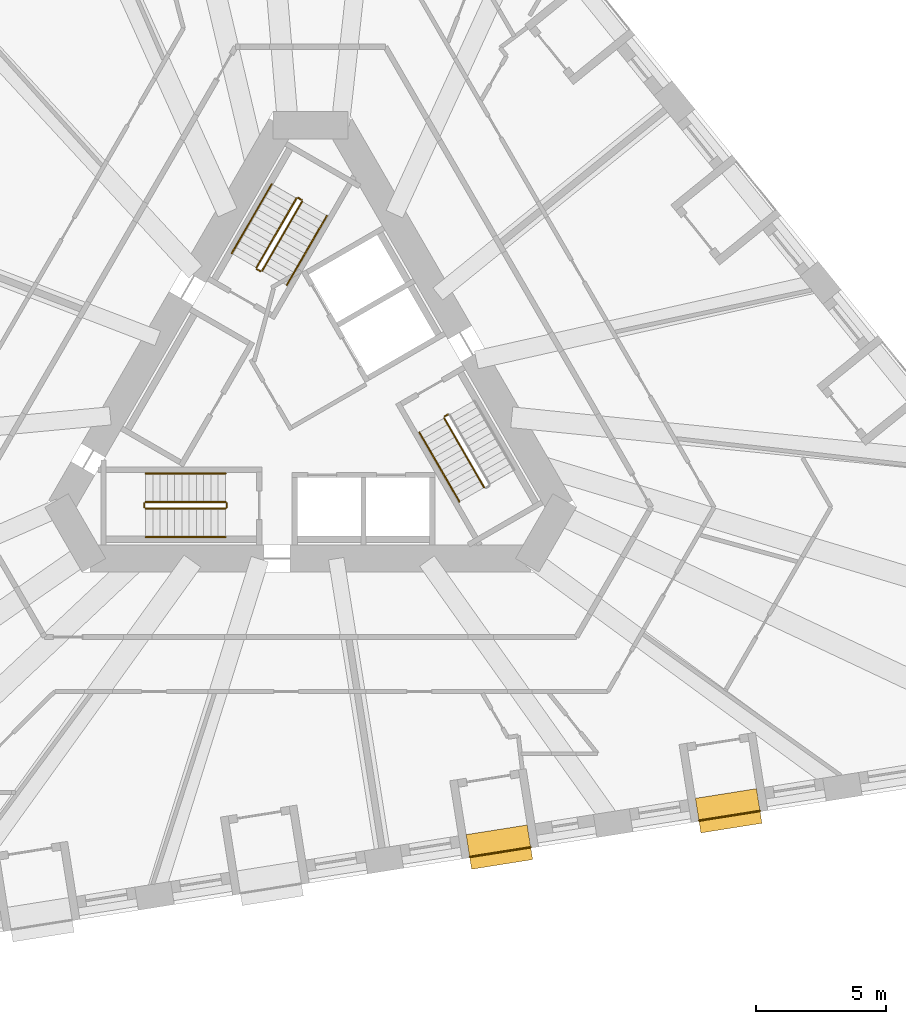
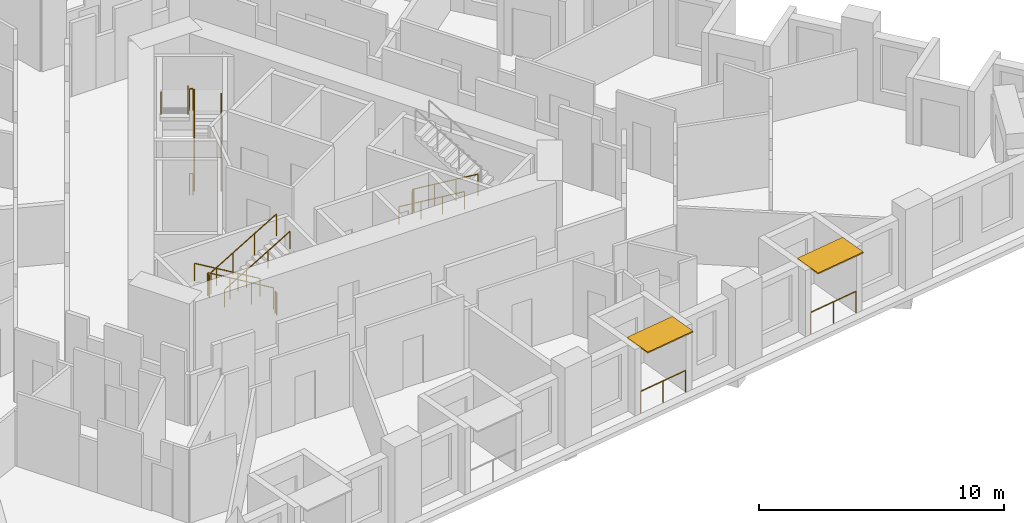
# One storey, part 12 of 14: 17 railings, 2 shading devices.
"""IFC4 building model written with IfcOpenShell, lengths in metres."""

from ifc_helpers import new_model, si_unit, direction, frame, origin, origin_2d, place, context, subcontext, project, spatial, rectangle, circle, extrude, material, layer, layer_set, type_object, element, save


model = new_model("IFC4")

# Units and contexts
model_context = context("Model", 3, precision=1e-05, world=origin(), true_north=direction((0.0, 1.0)))
body_context = subcontext(model_context, "Body", "Model", "MODEL_VIEW")
ifc_project = project(units=[si_unit("LENGTHUNIT", "METRE"), si_unit("AREAUNIT", "SQUARE_METRE"), si_unit("VOLUMEUNIT", "CUBIC_METRE"), si_unit("PLANEANGLEUNIT", "RADIAN"), si_unit("MASSUNIT", "GRAM", prefix="KILO")], contexts=[model_context])

# Site, building, storey
site_placement = place(None, origin())
site = spatial("IfcSite", under=ifc_project, at=site_placement, CompositionType="ELEMENT")
building_placement = place(site_placement, origin())
building = spatial("IfcBuilding", under=site, at=building_placement, Name="Tramontana Tower", CompositionType="ELEMENT")
storey_placement = place(building_placement, frame((0.0, 0.0, 59.199951171875)))
storey = spatial("IfcBuildingStorey", under=building, at=storey_placement, Name="L12", CompositionType="ELEMENT", Elevation=59.199951171875)

# Railings
ifc_material_1 = material(Name="Laminated glass balustrade", Category="glass")
railing_type_1 = type_object("IfcRailingType", Name="GD1 Loggia glass balustrade 1100", PredefinedType="BALUSTRADE", material=ifc_material_1)
railing_1_placement = place(storey_placement, frame((6.1318359375, -17.72900390625, 0.0)))
element("IfcRailing", 1, at=railing_1_placement, inside=storey, type_object=railing_type_1, Name="Loggia balustrade L12 G1S1.10", PredefinedType="BALUSTRADE", context=body_context, shape_type="SweptSolid", body=[
    extrude(circle(Radius=0.02392578125, at=origin_2d()), frame((0.0, 0.0, 1.076171875), z_axis=(0.987688093492, 0.15643602518, 0.0), x_axis=(-0.15643602518, 0.987688093492, 0.0)), (0.0, 0.0, 1.0), 2.383056640625),
    extrude(circle(Radius=0.02099609375, at=origin_2d()), origin(), (0.0, 0.0, 1.0), 1.052001953125),
    extrude(circle(Radius=0.02099609375, at=origin_2d()), frame((1.1767578125, 0.1865234375, 0.0)), (0.0, 0.0, 1.0), 1.052001953125),
    extrude(circle(Radius=0.02099609375, at=origin_2d()), frame((2.353759765625, 0.372802734375, 0.0)), (0.0, 0.0, 1.0), 1.052001953125),
])
railing_2_placement = place(storey_placement, frame((14.970703125, -16.3291015625, 0.0)))
element("IfcRailing", 2, at=railing_2_placement, inside=storey, type_object=railing_type_1, Name="Loggia balustrade L12 G1S1.13", PredefinedType="BALUSTRADE", context=body_context, shape_type="SweptSolid", body=[
    extrude(circle(Radius=0.02392578125, at=origin_2d()), frame((0.0, 0.0, 1.076171875), z_axis=(0.987685586014, 0.156451855793, 0.0), x_axis=(-0.156451855793, 0.987685586014, 0.0)), (0.0, 0.0, 1.0), 2.3828125),
    extrude(circle(Radius=0.02099609375, at=origin_2d()), origin(), (0.0, 0.0, 1.0), 1.052001953125),
    extrude(circle(Radius=0.02099609375, at=origin_2d()), frame((1.1767578125, 0.1865234375, 0.0)), (0.0, 0.0, 1.0), 1.052001953125),
    extrude(circle(Radius=0.02099609375, at=origin_2d()), frame((2.353515625, 0.372802734375, 0.0)), (0.0, 0.0, 1.0), 1.052001953125),
])

# Shading devices
ifc_material_2 = material(Name="Precast concrete 60 MPa", Category="concrete")
ifc_layer = layer(ifc_material_2, 0.06005859375)
ifc_layer_set = layer_set([ifc_layer], Name="SS1 Stone sunshade blade 60")
shading_device_type = type_object("IfcShadingDeviceType", Name="SS1 Stone sunshade blade 60", PredefinedType="USERDEFINED", material=ifc_layer_set)
for number, where, z_axis, x_axis, name in (
    (3, (7.2783203125, -17.35009765625, 3.239990234375), (0.0, 0.0, 1.0), (0.987688340595, 0.15643446504, 0.0), "Sunshade L12 G1S1.10"),
    (4, (16.116943359375, -15.9501953125, 3.239990234375), (0.0, 0.0, 1.0), (0.987688340595, 0.15643446504, 0.0), "Sunshade L12 G1S1.13"),
):
    element("IfcShadingDevice", number, at=place(storey_placement, frame(where, z_axis=z_axis, x_axis=x_axis)), inside=storey, type_object=shading_device_type, Name=name, ObjectType="SUNSHADE", PredefinedType="USERDEFINED", context=body_context, shape_type="SweptSolid", body=[
        extrude(rectangle(XDim=2.383056640625, YDim=1.35009765625, at=origin_2d()), origin(), (0.0, 0.0, 1.0), 0.06005859375),
    ])

# Railings
ifc_material_3 = material(Name="Painted steel", Category="steel")
railing_type_2 = type_object("IfcRailingType", Name="STAIR GUARD 1100", PredefinedType="GUARDRAIL", material=ifc_material_3)
railing_3_placement = place(storey_placement, frame((-1.867431640625, 4.865478515625, 0.166748046875)))
element("IfcRailing", 5, at=railing_3_placement, inside=storey, type_object=railing_type_2, Name="L12 ST1 stair guard 1", PredefinedType="GUARDRAIL", context=body_context, shape_type="SweptSolid", body=[
    extrude(circle(Radius=0.02392578125, at=origin_2d()), frame((0.0, 0.0, 1.076171875), z_axis=(0.429649414936, 0.744189839504, 0.511451721109), x_axis=(-0.866029832698, 0.499992328818, 0.0)), (0.0, 0.0, 1.0), 3.58447265625),
    extrude(circle(Radius=0.02099609375, at=origin_2d()), origin(), (0.0, 0.0, 1.0), 1.052001953125),
    extrude(circle(Radius=0.02099609375, at=origin_2d()), frame((0.513427734375, 0.88916015625, 0.611083984375)), (0.0, 0.0, 1.0), 1.052001953125),
    extrude(circle(Radius=0.02099609375, at=origin_2d()), frame((1.026611328125, 1.7783203125, 1.22216796875)), (0.0, 0.0, 1.0), 1.052001953125),
    extrude(circle(Radius=0.02099609375, at=origin_2d()), frame((1.5400390625, 2.66748046875, 1.833251953125)), (0.0, 0.0, 1.0), 1.052001953125),
])
railing_4_placement = place(storey_placement, frame((-0.5439453125, 7.657958984375, 2.166748046875)))
element("IfcRailing", 6, at=railing_4_placement, inside=storey, type_object=railing_type_2, Name="L12 ST1 stair guard 2", PredefinedType="GUARDRAIL", context=body_context, shape_type="SweptSolid", body=[
    extrude(circle(Radius=0.02392578125, at=origin_2d()), frame((0.0, 0.0, 1.076171875), z_axis=(-0.429649414936, -0.744189839504, 0.511451721109), x_axis=(0.866029832698, -0.499992328818, 0.0)), (0.0, 0.0, 1.0), 3.58447265625),
    extrude(circle(Radius=0.02099609375, at=origin_2d()), origin(), (0.0, 0.0, 1.0), 1.052001953125),
    extrude(circle(Radius=0.02099609375, at=origin_2d()), frame((-0.513427734375, -0.88916015625, 0.611083984375)), (0.0, 0.0, 1.0), 1.052001953125),
    extrude(circle(Radius=0.02099609375, at=origin_2d()), frame((-1.026611328125, -1.7783203125, 1.22216796875)), (0.0, 0.0, 1.0), 1.052001953125),
    extrude(circle(Radius=0.02099609375, at=origin_2d()), frame((-1.5400390625, -2.66748046875, 1.833251953125)), (0.0, 0.0, 1.0), 1.052001953125),
])
railing_5_placement = place(storey_placement, frame((-0.345703125, 7.601318359375, 2.0)))
element("IfcRailing", 7, at=railing_5_placement, inside=storey, type_object=railing_type_2, Name="L12 ST1 stair guard 3", PredefinedType="GUARDRAIL", context=body_context, shape_type="SweptSolid", body=[
    extrude(circle(Radius=0.02392578125, at=origin_2d()), frame((0.0, 0.0, 1.076171875), z_axis=(-0.866131372301, 0.499816412211, 0.0), x_axis=(-0.499816412211, -0.866131372301, 0.0)), (0.0, 0.0, 1.0), 0.14990234375),
    extrude(circle(Radius=0.02099609375, at=origin_2d()), origin(), (0.0, 0.0, 1.0), 1.052001953125),
    extrude(circle(Radius=0.02099609375, at=origin_2d()), frame((-0.1298828125, 0.074951171875, 0.0)), (0.0, 0.0, 1.0), 1.052001953125),
])
railing_6_placement = place(storey_placement, frame((-1.935791015625, 4.84716796875, 0.0)))
element("IfcRailing", 8, at=railing_6_placement, inside=storey, type_object=railing_type_2, Name="L12 ST1 stair guard 4", PredefinedType="GUARDRAIL", context=body_context, shape_type="SweptSolid", body=[
    extrude(circle(Radius=0.02392578125, at=origin_2d()), frame((0.0, 0.0, 1.076171875), z_axis=(-0.865426285481, 0.501036270542, 0.0), x_axis=(-0.501036270542, -0.865426285481, 0.0)), (0.0, 0.0, 1.0), 0.150146484375),
    extrude(circle(Radius=0.02099609375, at=origin_2d()), origin(), (0.0, 0.0, 1.0), 1.052001953125),
    extrude(circle(Radius=0.02099609375, at=origin_2d()), frame((-0.1298828125, 0.0751953125, 0.0)), (0.0, 0.0, 1.0), 1.052001953125),
])
railing_7_placement = place(storey_placement, frame((-3.280029296875, -4.050048828125, 0.166748046875)))
element("IfcRailing", 9, at=railing_7_placement, inside=storey, type_object=railing_type_2, Name="L12 ST2 stair guard 1", PredefinedType="GUARDRAIL", context=body_context, shape_type="SweptSolid", body=[
    extrude(circle(Radius=0.02392578125, at=origin_2d()), frame((0.0, 0.0, 1.076171875), z_axis=(-0.859308565015, 0.0, 0.511457515432), x_axis=(0.0, -1.0, 0.0)), (0.0, 0.0, 1.0), 3.58447265625),
    extrude(circle(Radius=0.02099609375, at=origin_2d()), origin(), (0.0, 0.0, 1.0), 1.052001953125),
    extrude(circle(Radius=0.02099609375, at=origin_2d()), frame((-1.026611328125, 0.0, 0.611083984375)), (0.0, 0.0, 1.0), 1.052001953125),
    extrude(circle(Radius=0.02099609375, at=origin_2d()), frame((-2.053466796875, 0.0, 1.22216796875)), (0.0, 0.0, 1.0), 1.052001953125),
    extrude(circle(Radius=0.02099609375, at=origin_2d()), frame((-3.080078125, 0.0, 1.833251953125)), (0.0, 0.0, 1.0), 1.052001953125),
])
railing_8_placement = place(storey_placement, frame((-6.360107421875, -4.300048828125, 2.166748046875)))
element("IfcRailing", 10, at=railing_8_placement, inside=storey, type_object=railing_type_2, Name="L12 ST2 stair guard 2", PredefinedType="GUARDRAIL", context=body_context, shape_type="SweptSolid", body=[
    extrude(circle(Radius=0.02392578125, at=origin_2d()), frame((0.0, 0.0, 1.076171875), z_axis=(0.859308565015, 0.0, 0.511457515432), x_axis=(0.0, 1.0, 0.0)), (0.0, 0.0, 1.0), 3.58447265625),
    extrude(circle(Radius=0.02099609375, at=origin_2d()), origin(), (0.0, 0.0, 1.0), 1.052001953125),
    extrude(circle(Radius=0.02099609375, at=origin_2d()), frame((1.026611328125, 0.0, 0.611083984375)), (0.0, 0.0, 1.0), 1.052001953125),
    extrude(circle(Radius=0.02099609375, at=origin_2d()), frame((2.053466796875, 0.0, 1.22216796875)), (0.0, 0.0, 1.0), 1.052001953125),
    extrude(circle(Radius=0.02099609375, at=origin_2d()), frame((3.080078125, 0.0, 1.833251953125)), (0.0, 0.0, 1.0), 1.052001953125),
])
for number, where, name in (
    (11, (-6.409912109375, -4.10009765625, 2.0), "L12 ST2 stair guard 3"),
    (12, (-3.22998046875, -4.10009765625, 0.0), "L12 ST2 stair guard 4"),
):
    element("IfcRailing", number, at=place(storey_placement, frame(where)), inside=storey, type_object=railing_type_2, Name=name, PredefinedType="GUARDRAIL", context=body_context, shape_type="SweptSolid", body=[
        extrude(circle(Radius=0.02392578125, at=origin_2d()), frame((0.0, 0.0, 1.076171875), z_axis=(0.0, -1.0, 0.0), x_axis=(1.0, 0.0, 0.0)), (0.0, 0.0, 1.0), 0.14990234375),
        extrude(circle(Radius=0.02099609375, at=origin_2d()), origin(), (0.0, 0.0, 1.0), 1.052001953125),
        extrude(circle(Radius=0.02099609375, at=origin_2d()), frame((0.0, -0.14990234375, 0.0)), (0.0, 0.0, 1.0), 1.052001953125),
    ])
railing_9_placement = place(storey_placement, frame((5.1474609375, -0.815673828125, 0.166748046875)))
element("IfcRailing", 13, at=railing_9_placement, inside=storey, type_object=railing_type_2, Name="L12 ST3 stair guard 1", PredefinedType="GUARDRAIL", context=body_context, shape_type="SweptSolid", body=[
    extrude(circle(Radius=0.02392578125, at=origin_2d()), frame((0.0, 0.0, 1.076171875), z_axis=(0.429671193721, -0.744159446956, 0.511477646425), x_axis=(0.866010015463, 0.500026652407, 0.0)), (0.0, 0.0, 1.0), 3.584228515625),
    extrude(circle(Radius=0.02099609375, at=origin_2d()), origin(), (0.0, 0.0, 1.0), 1.052001953125),
    extrude(circle(Radius=0.02099609375, at=origin_2d()), frame((0.513427734375, -0.88916015625, 0.611083984375)), (0.0, 0.0, 1.0), 1.052001953125),
    extrude(circle(Radius=0.02099609375, at=origin_2d()), frame((1.026611328125, -1.778076171875, 1.22216796875)), (0.0, 0.0, 1.0), 1.052001953125),
    extrude(circle(Radius=0.02099609375, at=origin_2d()), frame((1.5400390625, -2.667236328125, 1.833251953125)), (0.0, 0.0, 1.0), 1.052001953125),
])
railing_10_placement = place(storey_placement, frame((5.165771484375, -0.747314453125, 0.0)))
element("IfcRailing", 14, at=railing_10_placement, inside=storey, type_object=railing_type_2, Name="L12 ST3 stair guard 4", PredefinedType="GUARDRAIL", context=body_context, shape_type="SweptSolid", body=[
    extrude(circle(Radius=0.02392578125, at=origin_2d()), frame((0.0, 0.0, 1.076171875), z_axis=(0.866131372301, 0.499816412211, 0.0), x_axis=(-0.499816412211, 0.866131372301, 0.0)), (0.0, 0.0, 1.0), 0.14990234375),
    extrude(circle(Radius=0.02099609375, at=origin_2d()), origin(), (0.0, 0.0, 1.0), 1.052001953125),
    extrude(circle(Radius=0.02099609375, at=origin_2d()), frame((0.1298828125, 0.074951171875, 0.0)), (0.0, 0.0, 1.0), 1.052001953125),
])
ifc_material_4 = material(Name="Painted steel", Category="steel")
railing_type_3 = type_object("IfcRailingType", Name="STAIR HANDRAIL 900", PredefinedType="HANDRAIL", material=ifc_material_4)
railing_11_placement = place(storey_placement, frame((-0.914794921875, 4.315673828125, 0.166748046875)))
element("IfcRailing", 15, at=railing_11_placement, inside=storey, type_object=railing_type_3, Name="L12 ST1 stair handrail 1", PredefinedType="HANDRAIL", context=body_context, shape_type="SweptSolid", body=[
    extrude(circle(Radius=0.02392578125, at=origin_2d()), frame((0.0, 0.0, 0.8759765625), z_axis=(0.429671193721, 0.744159446956, 0.511477646425), x_axis=(-0.866010015463, 0.500026652407, 0.0)), (0.0, 0.0, 1.0), 3.584228515625),
    extrude(circle(Radius=0.02099609375, at=origin_2d()), origin(), (0.0, 0.0, 1.0), 0.851806640625),
    extrude(circle(Radius=0.02099609375, at=origin_2d()), frame((0.513427734375, 0.88916015625, 0.611083984375)), (0.0, 0.0, 1.0), 0.851806640625),
    extrude(circle(Radius=0.02099609375, at=origin_2d()), frame((1.026611328125, 1.778076171875, 1.22216796875)), (0.0, 0.0, 1.0), 0.851806640625),
    extrude(circle(Radius=0.02099609375, at=origin_2d()), frame((1.5400390625, 2.667236328125, 1.833251953125)), (0.0, 0.0, 1.0), 0.851806640625),
])
railing_12_placement = place(storey_placement, frame((-1.49658203125, 8.2080078125, 2.166748046875)))
element("IfcRailing", 16, at=railing_12_placement, inside=storey, type_object=railing_type_3, Name="L12 ST1 stair handrail 2", PredefinedType="HANDRAIL", context=body_context, shape_type="SweptSolid", body=[
    extrude(circle(Radius=0.02392578125, at=origin_2d()), frame((0.0, 0.0, 0.8759765625), z_axis=(-0.429649414936, -0.744189839504, 0.511451721109), x_axis=(0.866029832698, -0.499992328818, 0.0)), (0.0, 0.0, 1.0), 3.58447265625),
    extrude(circle(Radius=0.02099609375, at=origin_2d()), origin(), (0.0, 0.0, 1.0), 0.851806640625),
    extrude(circle(Radius=0.02099609375, at=origin_2d()), frame((-0.513427734375, -0.88916015625, 0.611083984375)), (0.0, 0.0, 1.0), 0.851806640625),
    extrude(circle(Radius=0.02099609375, at=origin_2d()), frame((-1.026611328125, -1.7783203125, 1.22216796875)), (0.0, 0.0, 1.0), 0.851806640625),
    extrude(circle(Radius=0.02099609375, at=origin_2d()), frame((-1.5400390625, -2.66748046875, 1.833251953125)), (0.0, 0.0, 1.0), 0.851806640625),
])
railing_13_placement = place(storey_placement, frame((-3.280029296875, -2.949951171875, 0.166748046875)))
element("IfcRailing", 17, at=railing_13_placement, inside=storey, type_object=railing_type_3, Name="L12 ST2 stair handrail 1", PredefinedType="HANDRAIL", context=body_context, shape_type="SweptSolid", body=[
    extrude(circle(Radius=0.02392578125, at=origin_2d()), frame((0.0, 0.0, 0.8759765625), z_axis=(-0.859308565015, 0.0, 0.511457515432), x_axis=(0.0, -1.0, 0.0)), (0.0, 0.0, 1.0), 3.58447265625),
    extrude(circle(Radius=0.02099609375, at=origin_2d()), origin(), (0.0, 0.0, 1.0), 0.851806640625),
    extrude(circle(Radius=0.02099609375, at=origin_2d()), frame((-1.026611328125, 0.0, 0.611083984375)), (0.0, 0.0, 1.0), 0.851806640625),
    extrude(circle(Radius=0.02099609375, at=origin_2d()), frame((-2.053466796875, 0.0, 1.22216796875)), (0.0, 0.0, 1.0), 0.851806640625),
    extrude(circle(Radius=0.02099609375, at=origin_2d()), frame((-3.080078125, 0.0, 1.833251953125)), (0.0, 0.0, 1.0), 0.851806640625),
])
railing_14_placement = place(storey_placement, frame((-6.360107421875, -5.39990234375, 2.166748046875)))
element("IfcRailing", 18, at=railing_14_placement, inside=storey, type_object=railing_type_3, Name="L12 ST2 stair handrail 2", PredefinedType="HANDRAIL", context=body_context, shape_type="SweptSolid", body=[
    extrude(circle(Radius=0.02392578125, at=origin_2d()), frame((0.0, 0.0, 0.8759765625), z_axis=(0.859308565015, 0.0, 0.511457515432), x_axis=(0.0, 1.0, 0.0)), (0.0, 0.0, 1.0), 3.58447265625),
    extrude(circle(Radius=0.02099609375, at=origin_2d()), origin(), (0.0, 0.0, 1.0), 0.851806640625),
    extrude(circle(Radius=0.02099609375, at=origin_2d()), frame((1.026611328125, 0.0, 0.611083984375)), (0.0, 0.0, 1.0), 0.851806640625),
    extrude(circle(Radius=0.02099609375, at=origin_2d()), frame((2.053466796875, 0.0, 1.22216796875)), (0.0, 0.0, 1.0), 0.851806640625),
    extrude(circle(Radius=0.02099609375, at=origin_2d()), frame((3.080078125, 0.0, 1.833251953125)), (0.0, 0.0, 1.0), 0.851806640625),
])
railing_15_placement = place(storey_placement, frame((4.19482421875, -1.365478515625, 0.166748046875)))
element("IfcRailing", 19, at=railing_15_placement, inside=storey, type_object=railing_type_3, Name="L12 ST3 stair handrail 1", PredefinedType="HANDRAIL", context=body_context, shape_type="SweptSolid", body=[
    extrude(circle(Radius=0.02392578125, at=origin_2d()), frame((0.0, 0.0, 0.8759765625), z_axis=(0.429649414936, -0.744189839504, 0.511451721109), x_axis=(0.866029832698, 0.499992328818, 0.0)), (0.0, 0.0, 1.0), 3.58447265625),
    extrude(circle(Radius=0.02099609375, at=origin_2d()), origin(), (0.0, 0.0, 1.0), 0.851806640625),
    extrude(circle(Radius=0.02099609375, at=origin_2d()), frame((0.513427734375, -0.88916015625, 0.611083984375)), (0.0, 0.0, 1.0), 0.851806640625),
    extrude(circle(Radius=0.02099609375, at=origin_2d()), frame((1.026611328125, -1.7783203125, 1.22216796875)), (0.0, 0.0, 1.0), 0.851806640625),
    extrude(circle(Radius=0.02099609375, at=origin_2d()), frame((1.5400390625, -2.66748046875, 1.833251953125)), (0.0, 0.0, 1.0), 0.851806640625),
])

save(model, "model.ifc")
